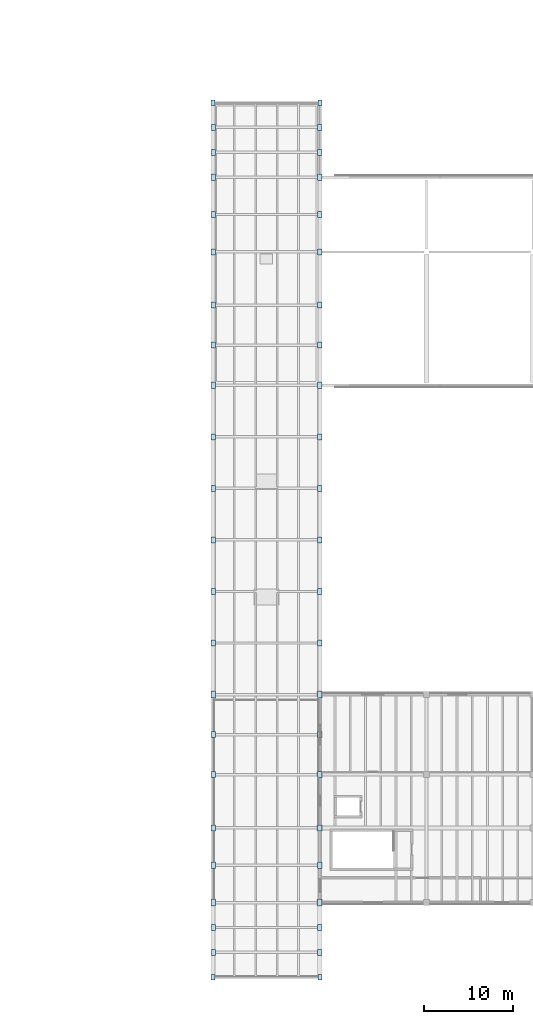
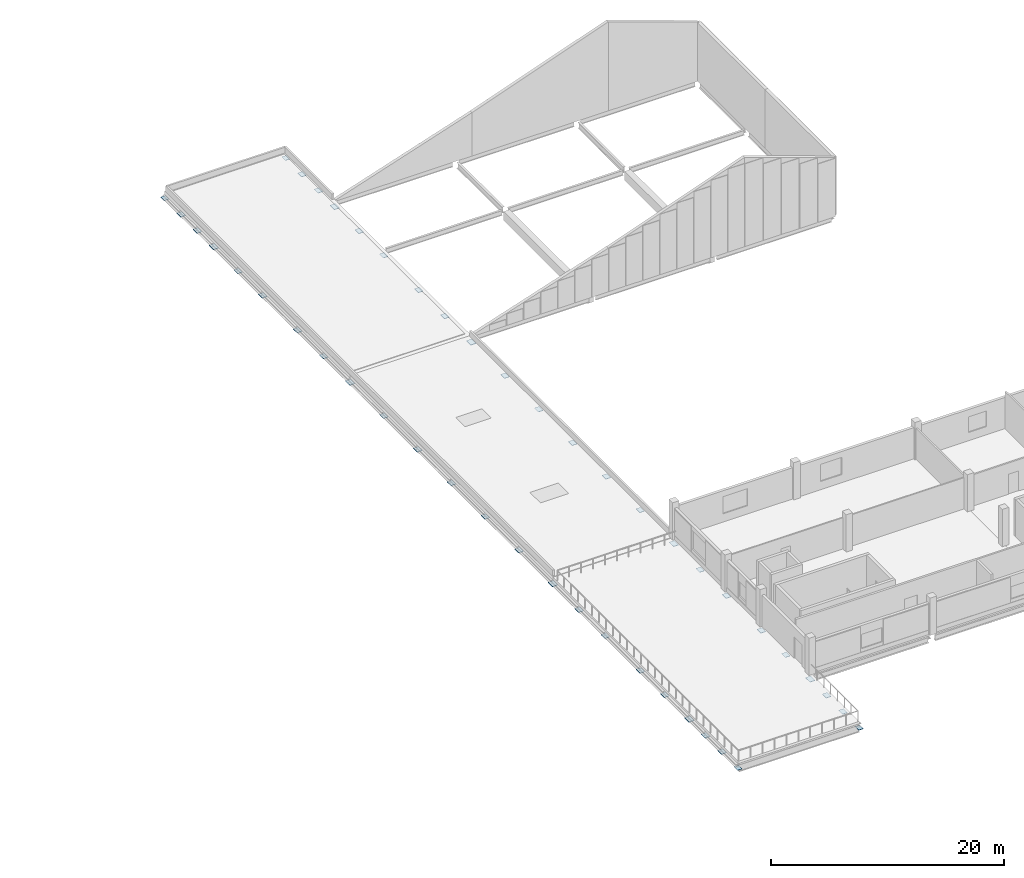
# One storey, part 6 of 19: 46 plates.
"""IFC4 building model written with IfcOpenShell, lengths in metres."""

from ifc_helpers import new_model, si_unit, direction, frame, origin, origin_2d, place, context, subcontext, project, spatial, rectangle, extrude, material, layer, layer_set, type_object, element, save


model = new_model("IFC4")

# Units and contexts
model_context = context("Model", 3, precision=1e-05, world=origin(), true_north=direction((0.0, 1.0)))
body_context = subcontext(model_context, "Body", "Model", "MODEL_VIEW")
ifc_project = project(units=[si_unit("LENGTHUNIT", "METRE"), si_unit("AREAUNIT", "SQUARE_METRE"), si_unit("VOLUMEUNIT", "CUBIC_METRE"), si_unit("PLANEANGLEUNIT", "RADIAN"), si_unit("MASSUNIT", "GRAM", prefix="KILO")], contexts=[model_context])

# Site, building, storey
site_placement = place(None, origin())
site = spatial("IfcSite", under=ifc_project, at=site_placement, CompositionType="ELEMENT")
building_placement = place(site_placement, origin())
building = spatial("IfcBuilding", under=site, at=building_placement, Name="Kelmvaro Bay Concert Hall", CompositionType="ELEMENT")
storey_placement = place(building_placement, frame((0.0, 0.0, 18.300048828125)))
storey = spatial("IfcBuildingStorey", under=building, at=storey_placement, Name="L04", CompositionType="ELEMENT", Elevation=18.300048828125)

# Plates
ifc_material_1 = material(Name="Steel ASTM A572 Grade 50", Category="steel")
ifc_layer_1 = layer(ifc_material_1, 0.028076171875)
ifc_layer_set_1 = layer_set([ifc_layer_1], Name="Steel ASTM A572 Grade 50")
plate_type_1 = type_object("IfcPlateType", Name="Bridge Cantilever Tip Cap Plate 620x460x28", PredefinedType="SHEET", material=ifc_layer_set_1)
for number, where, z_axis, x_axis, name in (
    (1, (120.0, 7.199951171875, -0.69287109375), (0.0, 0.0, 1.0), (0.0, 1.0, 0.0), "Bridge Node Gusset Plate ND-03 W-T01"),
    (2, (120.0, 105.60009765625, -0.69287109375), (0.0, 0.0, 1.0), (0.0, 1.0, 0.0), "Bridge Node Gusset Plate ND-03 W-T23"),
    (3, (132.0, 7.199951171875, -0.69287109375), (0.0, 0.0, 1.0), (0.0, 1.0, 0.0), "Bridge Node Gusset Plate ND-03 E-T01"),
    (4, (132.0, 105.60009765625, -0.69287109375), (0.0, 0.0, 1.0), (0.0, 1.0, 0.0), "Bridge Node Gusset Plate ND-03 E-T23"),
):
    element("IfcPlate", number, at=place(storey_placement, frame(where, z_axis=z_axis, x_axis=x_axis)), inside=storey, type_object=plate_type_1, Name=name, PredefinedType="SHEET", context=body_context, shape_type="SweptSolid", body=[
        extrude(rectangle(XDim=0.6201171875, YDim=0.4599609375, at=origin_2d()), origin(), (0.0, 0.0, 1.0), 0.028076171875),
    ])
ifc_material_2 = material(Name="Steel ASTM A572 Grade 50", Category="steel")
ifc_layer_2 = layer(ifc_material_2, 0.033935546875)
ifc_layer_set_2 = layer_set([ifc_layer_2], Name="Steel ASTM A572 Grade 50")
plate_type_2 = type_object("IfcPlateType", Name="Bridge Chord Gusset Plate 680x480x34", PredefinedType="SHEET", material=ifc_layer_set_2)
for number, where, z_axis, x_axis, name in (
    (5, (120.0, 10.0, -0.69580078125), (0.0, 0.0, 1.0), (0.0, 1.0, 0.0), "Bridge Node Gusset Plate ND-02 W-T02"),
    (6, (120.0, 12.800048828125, -0.69580078125), (0.0, 0.0, 1.0), (0.0, 1.0, 0.0), "Bridge Node Gusset Plate ND-02 W-T03"),
    (7, (120.0, 19.800048828125, -0.69580078125), (0.0, 0.0, 1.0), (0.0, 1.0, 0.0), "Bridge Node Gusset Plate ND-02 W-T05"),
    (8, (120.0, 24.0, -0.69580078125), (0.0, 0.0, 1.0), (0.0, 1.0, 0.0), "Bridge Node Gusset Plate ND-02 W-T06"),
    (9, (120.0, 30.0, -0.69580078125), (0.0, 0.0, 1.0), (0.0, 1.0, 0.0), "Bridge Node Gusset Plate ND-02 W-T07"),
    (10, (120.0, 34.5, -0.69580078125), (0.0, 0.0, 1.0), (0.0, 1.0, 0.0), "Bridge Node Gusset Plate ND-02 W-T08"),
    (11, (120.0, 44.800048828125, -0.69580078125), (0.0, 0.0, 1.0), (0.0, 1.0, 0.0), "Bridge Node Gusset Plate ND-02 W-T10"),
    (12, (120.0, 50.60009765625, -0.69580078125), (0.0, 0.0, 1.0), (0.0, 1.0, 0.0), "Bridge Node Gusset Plate ND-02 W-T11"),
    (13, (120.0, 56.39990234375, -0.69580078125), (0.0, 0.0, 1.0), (0.0, 1.0, 0.0), "Bridge Node Gusset Plate ND-02 W-T12"),
    (14, (120.0, 62.199951171875, -0.69580078125), (0.0, 0.0, 1.0), (0.0, 1.0, 0.0), "Bridge Node Gusset Plate ND-02 W-T13"),
    (15, (120.0, 68.0, -0.69580078125), (0.0, 0.0, 1.0), (0.0, 1.0, 0.0), "Bridge Node Gusset Plate ND-02 W-T14"),
    (16, (120.0, 78.300048828125, -0.69580078125), (0.0, 0.0, 1.0), (0.0, 1.0, 0.0), "Bridge Node Gusset Plate ND-02 W-T16"),
    (17, (120.0, 82.800048828125, -0.69580078125), (0.0, 0.0, 1.0), (0.0, 1.0, 0.0), "Bridge Node Gusset Plate ND-02 W-T17"),
    (18, (120.0, 88.800048828125, -0.69580078125), (0.0, 0.0, 1.0), (0.0, 1.0, 0.0), "Bridge Node Gusset Plate ND-02 W-T18"),
    (19, (120.0, 93.0, -0.69580078125), (0.0, 0.0, 1.0), (0.0, 1.0, 0.0), "Bridge Node Gusset Plate ND-02 W-T19"),
    (20, (120.0, 100.0, -0.69580078125), (0.0, 0.0, 1.0), (0.0, 1.0, 0.0), "Bridge Node Gusset Plate ND-02 W-T21"),
    (21, (120.0, 102.800048828125, -0.69580078125), (0.0, 0.0, 1.0), (0.0, 1.0, 0.0), "Bridge Node Gusset Plate ND-02 W-T22"),
    (22, (132.0, 10.0, -0.69580078125), (0.0, 0.0, 1.0), (0.0, 1.0, 0.0), "Bridge Node Gusset Plate ND-02 E-T02"),
    (23, (132.0, 12.800048828125, -0.69580078125), (0.0, 0.0, 1.0), (0.0, 1.0, 0.0), "Bridge Node Gusset Plate ND-02 E-T03"),
    (24, (132.0, 19.800048828125, -0.69580078125), (0.0, 0.0, 1.0), (0.0, 1.0, 0.0), "Bridge Node Gusset Plate ND-02 E-T05"),
    (25, (132.0, 24.0, -0.69580078125), (0.0, 0.0, 1.0), (0.0, 1.0, 0.0), "Bridge Node Gusset Plate ND-02 E-T06"),
    (26, (132.0, 30.0, -0.69580078125), (0.0, 0.0, 1.0), (0.0, 1.0, 0.0), "Bridge Node Gusset Plate ND-02 E-T07"),
    (27, (132.0, 34.5, -0.69580078125), (0.0, 0.0, 1.0), (0.0, 1.0, 0.0), "Bridge Node Gusset Plate ND-02 E-T08"),
    (28, (132.0, 44.800048828125, -0.69580078125), (0.0, 0.0, 1.0), (0.0, 1.0, 0.0), "Bridge Node Gusset Plate ND-02 E-T10"),
    (29, (132.0, 50.60009765625, -0.69580078125), (0.0, 0.0, 1.0), (0.0, 1.0, 0.0), "Bridge Node Gusset Plate ND-02 E-T11"),
    (30, (132.0, 56.39990234375, -0.69580078125), (0.0, 0.0, 1.0), (0.0, 1.0, 0.0), "Bridge Node Gusset Plate ND-02 E-T12"),
    (31, (132.0, 62.199951171875, -0.69580078125), (0.0, 0.0, 1.0), (0.0, 1.0, 0.0), "Bridge Node Gusset Plate ND-02 E-T13"),
    (32, (132.0, 68.0, -0.69580078125), (0.0, 0.0, 1.0), (0.0, 1.0, 0.0), "Bridge Node Gusset Plate ND-02 E-T14"),
    (33, (132.0, 78.300048828125, -0.69580078125), (0.0, 0.0, 1.0), (0.0, 1.0, 0.0), "Bridge Node Gusset Plate ND-02 E-T16"),
    (34, (132.0, 82.800048828125, -0.69580078125), (0.0, 0.0, 1.0), (0.0, 1.0, 0.0), "Bridge Node Gusset Plate ND-02 E-T17"),
    (35, (132.0, 88.800048828125, -0.69580078125), (0.0, 0.0, 1.0), (0.0, 1.0, 0.0), "Bridge Node Gusset Plate ND-02 E-T18"),
    (36, (132.0, 93.0, -0.69580078125), (0.0, 0.0, 1.0), (0.0, 1.0, 0.0), "Bridge Node Gusset Plate ND-02 E-T19"),
    (37, (132.0, 100.0, -0.69580078125), (0.0, 0.0, 1.0), (0.0, 1.0, 0.0), "Bridge Node Gusset Plate ND-02 E-T21"),
    (38, (132.0, 102.800048828125, -0.69580078125), (0.0, 0.0, 1.0), (0.0, 1.0, 0.0), "Bridge Node Gusset Plate ND-02 E-T22"),
):
    element("IfcPlate", number, at=place(storey_placement, frame(where, z_axis=z_axis, x_axis=x_axis)), inside=storey, type_object=plate_type_2, Name=name, PredefinedType="SHEET", context=body_context, shape_type="SweptSolid", body=[
        extrude(rectangle(XDim=0.679931640625, YDim=0.47998046875, at=origin_2d()), origin(), (0.0, 0.0, 1.0), 0.033935546875),
    ])
ifc_material_3 = material(Name="Steel ASTM A572 Grade 50", Category="steel")
ifc_layer_3 = layer(ifc_material_3, 0.0400390625)
ifc_layer_set_3 = layer_set([ifc_layer_3], Name="Steel ASTM A572 Grade 50")
plate_type_3 = type_object("IfcPlateType", Name="Bridge Support Node Gusset Plate 760x520x40", PredefinedType="SHEET", material=ifc_layer_set_3)
for number, where, z_axis, x_axis, name in (
    (39, (120.0, 15.60009765625, -0.698974609375), (0.0, 0.0, 1.0), (0.0, 1.0, 0.0), "Bridge Node Gusset Plate ND-01 W-T04"),
    (40, (120.0, 39.0, -0.698974609375), (0.0, 0.0, 1.0), (0.0, 1.0, 0.0), "Bridge Node Gusset Plate ND-01 W-T09"),
    (41, (120.0, 73.800048828125, -0.698974609375), (0.0, 0.0, 1.0), (0.0, 1.0, 0.0), "Bridge Node Gusset Plate ND-01 W-T15"),
    (42, (120.0, 97.199951171875, -0.698974609375), (0.0, 0.0, 1.0), (0.0, 1.0, 0.0), "Bridge Node Gusset Plate ND-01 W-T20"),
    (43, (132.0, 15.60009765625, -0.698974609375), (0.0, 0.0, 1.0), (0.0, 1.0, 0.0), "Bridge Node Gusset Plate ND-01 E-T04"),
    (44, (132.0, 39.0, -0.698974609375), (0.0, 0.0, 1.0), (0.0, 1.0, 0.0), "Bridge Node Gusset Plate ND-01 E-T09"),
    (45, (132.0, 73.800048828125, -0.698974609375), (0.0, 0.0, 1.0), (0.0, 1.0, 0.0), "Bridge Node Gusset Plate ND-01 E-T15"),
    (46, (132.0, 97.199951171875, -0.698974609375), (0.0, 0.0, 1.0), (0.0, 1.0, 0.0), "Bridge Node Gusset Plate ND-01 E-T20"),
):
    element("IfcPlate", number, at=place(storey_placement, frame(where, z_axis=z_axis, x_axis=x_axis)), inside=storey, type_object=plate_type_3, Name=name, PredefinedType="SHEET", context=body_context, shape_type="SweptSolid", body=[
        extrude(rectangle(XDim=0.760009765625, YDim=0.52001953125, at=origin_2d()), origin(), (0.0, 0.0, 1.0), 0.0400390625),
    ])

save(model, "model.ifc")
